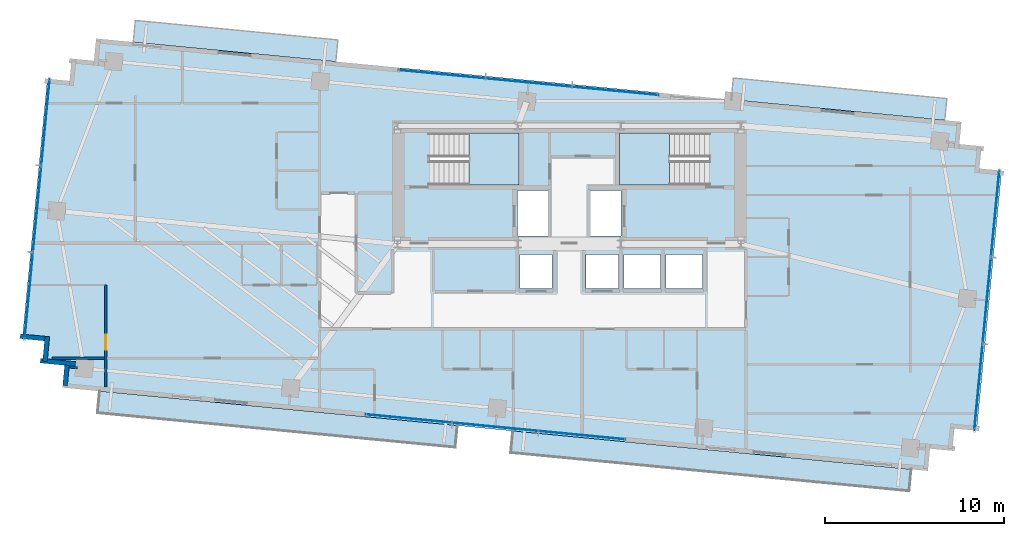
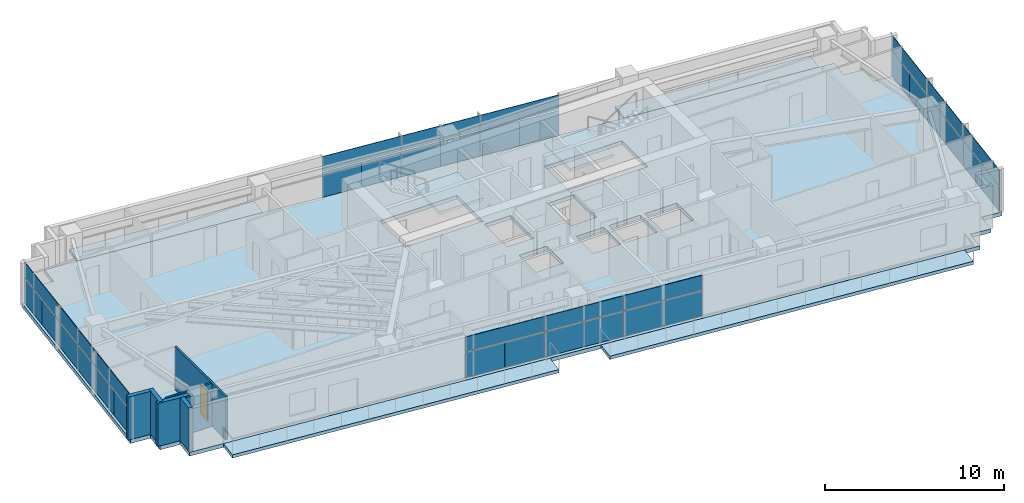
# One storey, part 14 of 20: 36 plates, 7 slabs, 7 walls, 1 door, 1 opening, 6 elements without a shape of their own.
"""IFC4 building model written with IfcOpenShell, lengths in metres."""

import ifcopenshell
import ifcopenshell.guid

model = None  # the IFC model being written
_history = None  # IfcOwnerHistory: only IFC2X3 demands one
_inside = {}  # id of a spatial element -> (the spatial element, [elements in it])
_under = {}  # id of a project, library or spatial element -> (it, [spatial elements below it])
_declared = {}  # id of a project -> (the project, [libraries it declares])
_typed = {}  # id of a type object -> (the type object, [elements of that type])
_made_of = {}  # id of a material, layer set ... -> (it, [elements and type objects made of it])


def new_model(schema):
    """Start an empty IFC model of exactly this schema.

    Asked for "IFC4X3", IfcOpenShell would pick the latest addendum, in which some entities
    have other attributes; the version numbers below select the first issue.
    IFC2X3 requires an IfcOwnerHistory on every rooted entity: one is made here for all.
    """
    global model, _history
    if schema == "IFC4X3":
        model = ifcopenshell.file(schema_version=(4, 3, 0, 0))
    else:
        model = ifcopenshell.file(schema=schema)
    _inside.clear()
    _under.clear()
    _declared.clear()
    _typed.clear()
    _made_of.clear()
    _history = None
    if model.schema == "IFC2X3":
        org = make("IfcOrganization", Name="unknown")
        user = make(
            "IfcPersonAndOrganization",
            ThePerson=make("IfcPerson", FamilyName="unknown"),
            TheOrganization=org,
        )
        app = make(
            "IfcApplication",
            ApplicationDeveloper=org,
            Version="unknown",
            ApplicationFullName="unknown",
            ApplicationIdentifier="unknown",
        )
        _history = make(
            "IfcOwnerHistory",
            OwningUser=user,
            OwningApplication=app,
            ChangeAction="ADDED",
            CreationDate=0,
        )
    return model


def make(cls, **values):
    """One entity of the class cls with the attributes given. An attribute that is None is left unset."""
    return model.create_entity(
        cls, **{name: value for name, value in values.items() if value is not None}
    )


def rooted(cls, **values):
    """An entity with a GlobalId (a new one), such as an element, a storey or a relation."""
    return make(cls, GlobalId=ifcopenshell.guid.new(), OwnerHistory=_history, **values)


def si_unit(unit_type, name, prefix=None):
    """IfcSIUnit, for example si_unit("LENGTHUNIT", "METRE", prefix="MILLI")."""
    return make("IfcSIUnit", UnitType=unit_type, Prefix=prefix, Name=name)


def assignment(units):
    """IfcUnitAssignment: the units of a project."""
    return None if units is None else make("IfcUnitAssignment", Units=units)


def point(xyz):
    """IfcCartesianPoint."""
    return None if xyz is None else make("IfcCartesianPoint", Coordinates=xyz)


def direction(xyz):
    """IfcDirection."""
    return None if xyz is None else make("IfcDirection", DirectionRatios=xyz)


def frame(location, z_axis=None, x_axis=None):
    """IfcAxis2Placement3D, a coordinate frame: its origin and axes. An axis left out is left unset."""
    return make(
        "IfcAxis2Placement3D",
        Location=point(location),
        Axis=direction(z_axis),
        RefDirection=direction(x_axis),
    )


def frame_2d(location, x_axis=None):
    """IfcAxis2Placement2D, a coordinate frame in the plane: its origin and x axis."""
    return make(
        "IfcAxis2Placement2D", Location=point(location), RefDirection=direction(x_axis)
    )


def origin():
    """The frame at (0, 0, 0) with its axes left unset."""
    return frame((0.0, 0.0, 0.0))


def origin_2d():
    """The frame at (0, 0) in the plane with its x axis left unset."""
    return frame_2d((0.0, 0.0))


def place(relative_to, where):
    """IfcLocalPlacement: puts the frame where relative to a parent placement (None: the world)."""
    return make(
        "IfcLocalPlacement", PlacementRelTo=relative_to, RelativePlacement=where
    )


def context(
    kind, dimensions, precision=None, world=None, true_north=None, identifier=None
):
    """IfcGeometricRepresentationContext, for example the 3D "Model" context."""
    return make(
        "IfcGeometricRepresentationContext",
        ContextIdentifier=identifier,
        ContextType=kind,
        CoordinateSpaceDimension=dimensions,
        Precision=precision,
        WorldCoordinateSystem=world,
        TrueNorth=true_north,
    )


def subcontext(parent, identifier, kind, view, scale=None):
    """IfcGeometricRepresentationSubContext, for example "Body" below "Model"."""
    return make(
        "IfcGeometricRepresentationSubContext",
        ContextIdentifier=identifier,
        ContextType=kind,
        ParentContext=parent,
        TargetScale=scale,
        TargetView=view,
    )


def project(units=None, contexts=None):
    """IfcProject with its units and contexts."""
    return rooted(
        "IfcProject",
        Name="project",
        RepresentationContexts=contexts,
        UnitsInContext=assignment(units),
    )


def spatial(cls, under=None, at=None, **own):
    """A site, building, storey or space (cls), placed at a placement, below another one or the project."""
    s = rooted(cls, ObjectPlacement=at, **own)
    if under is not None:
        _under.setdefault(under.id(), (under, []))[1].append(s)
    return s


def polyline(points):
    """IfcPolyline through the points."""
    return make("IfcPolyline", Points=[point(p) for p in points])


def profile(cls, at=None, kind="AREA", **sizes):
    """A parametric profile (cls). Its sizes go by their IFC names, for example OverallWidth=200.0."""
    return make(cls, ProfileType=kind, Position=at, **sizes)


def rectangle(**sizes):
    """IfcRectangleProfileDef."""
    return profile("IfcRectangleProfileDef", **sizes)


def outline(outer, holes=None, kind="AREA"):
    """IfcArbitraryClosedProfileDef: a profile drawn as a closed curve; with holes, ...WithVoids."""
    if holes is None:
        return make("IfcArbitraryClosedProfileDef", ProfileType=kind, OuterCurve=outer)
    return make(
        "IfcArbitraryProfileDefWithVoids",
        ProfileType=kind,
        OuterCurve=outer,
        InnerCurves=holes,
    )


def extrude(swept, where, along, depth):
    """IfcExtrudedAreaSolid: the profile swept, set in the frame where, extruded along a direction by depth."""
    return make(
        "IfcExtrudedAreaSolid",
        SweptArea=swept,
        Position=where,
        ExtrudedDirection=direction(along),
        Depth=depth,
    )


def shape(context_of_items, identifier, shape_type, items):
    """IfcShapeRepresentation: the items that make up one representation, for example the "Body"."""
    return make(
        "IfcShapeRepresentation",
        ContextOfItems=context_of_items,
        RepresentationIdentifier=identifier,
        RepresentationType=shape_type,
        Items=items,
    )


def source(mapping_origin, context_of_items, identifier, shape_type, items):
    """IfcRepresentationMap: a shape defined once, which mapped items show again and again."""
    return make(
        "IfcRepresentationMap",
        MappingOrigin=mapping_origin,
        MappedRepresentation=shape(context_of_items, identifier, shape_type, items),
    )


def transform(
    local_origin,
    x_axis=None,
    y_axis=None,
    z_axis=None,
    scale=None,
    scale2=None,
    scale3=None,
    uniform=True,
):
    """IfcCartesianTransformationOperator3D, or its non-uniform kind. x_axis, y_axis, z_axis: its Axis1, 2, 3."""
    if uniform:
        return make(
            "IfcCartesianTransformationOperator3D",
            Axis1=direction(x_axis),
            Axis2=direction(y_axis),
            LocalOrigin=point(local_origin),
            Scale=scale,
            Axis3=direction(z_axis),
        )
    return make(
        "IfcCartesianTransformationOperator3DnonUniform",
        Axis1=direction(x_axis),
        Axis2=direction(y_axis),
        LocalOrigin=point(local_origin),
        Scale=scale,
        Axis3=direction(z_axis),
        Scale2=scale2,
        Scale3=scale3,
    )


def mapped(mapping_source, mapping_target):
    """IfcMappedItem: shows the shape of a source again, moved by a transform."""
    return make(
        "IfcMappedItem", MappingSource=mapping_source, MappingTarget=mapping_target
    )


def material(Name=None, Category=None):
    """IfcMaterial."""
    return make("IfcMaterial", Name=Name, Category=Category)


def layer(
    of_material, thickness, ventilated=None, Name=None, Category=None, Priority=None
):
    """IfcMaterialLayer: one layer of a wall or slab, of a material (None: an air gap)."""
    return make(
        "IfcMaterialLayer",
        Material=of_material,
        LayerThickness=thickness,
        IsVentilated=ventilated,
        Name=Name,
        Category=Category,
        Priority=Priority,
    )


def layer_set(layers, Name=None):
    """IfcMaterialLayerSet."""
    return make("IfcMaterialLayerSet", MaterialLayers=layers, LayerSetName=Name)


def made_of(thing, what):
    """Note that an element or type object is made of a material, layer set ...; save() writes the relation."""
    if what is not None:
        _made_of.setdefault(what.id(), (what, []))[1].append(thing)
    return thing


def type_object(cls, material=None, **own):
    """A type object (cls), such as IfcWallType, which elements share."""
    return made_of(rooted(cls, **own), material)


def type_shapes(of_type, sources):
    """Give a type object the sources (RepresentationMaps) that its elements show as mapped items."""
    of_type.RepresentationMaps = sources


def element(
    cls,
    number,
    at=None,
    inside=None,
    cuts=None,
    type_object=None,
    material=None,
    context=None,
    identifier="Body",
    shape_type=None,
    held_by="IfcProductDefinitionShape",
    body=None,
    shapes=None,
    **own,
):
    """One element of the class cls, such as IfcWall. Its Tag is "e" and its number.

    at: its placement. inside: the storey or other place that contains it. cuts: it is an
    opening in that element (IfcRelVoidsElement). A single representation is given by context,
    identifier, shape_type and body (its items); several are given by shapes. held_by: the class
    of the entity that holds the representations. save() writes the other relations.
    """
    e = rooted(cls, Tag="e%d" % number, ObjectPlacement=at, **own)
    if body is not None:
        shapes = [shape(context, identifier, shape_type, body)]
    if shapes is not None:
        e.Representation = make(held_by, Representations=shapes)
    if inside is not None:
        _inside.setdefault(inside.id(), (inside, []))[1].append(e)
    if cuts is not None:
        rooted(
            "IfcRelVoidsElement", RelatingBuildingElement=cuts, RelatedOpeningElement=e
        )
    if type_object is not None:
        _typed.setdefault(type_object.id(), (type_object, []))[1].append(e)
    return made_of(e, material)


def fill(opening, filler):
    """IfcRelFillsElement: the door or window that sits in an opening."""
    return rooted(
        "IfcRelFillsElement",
        RelatingOpeningElement=opening,
        RelatedBuildingElement=filler,
    )


def aggregate(whole, parts):
    """IfcRelAggregates: a whole, such as a stair, and the parts it consists of."""
    return rooted("IfcRelAggregates", RelatingObject=whole, RelatedObjects=parts)


def save(model, path):
    """Write the relations noted so far, then the file.

    IfcRelAggregates (storeys below a building ...), IfcRelContainedInSpatialStructure (elements
    in a storey), IfcRelDefinesByType, IfcRelAssociatesMaterial and IfcRelDeclares: one each for
    every whole, place, type object, material and project.
    """
    for whole, parts in _under.values():
        aggregate(whole, parts)
    for where, things in _inside.values():
        rooted(
            "IfcRelContainedInSpatialStructure",
            RelatedElements=things,
            RelatingStructure=where,
        )
    for kind, things in _typed.values():
        rooted("IfcRelDefinesByType", RelatedObjects=things, RelatingType=kind)
    for what, things in _made_of.values():
        rooted("IfcRelAssociatesMaterial", RelatedObjects=things, RelatingMaterial=what)
    for by, libraries in _declared.values():
        rooted("IfcRelDeclares", RelatingContext=by, RelatedDefinitions=libraries)
    model.write(path)


model = new_model("IFC4")

# Units and contexts
model_context = context("Model", 3, precision=1e-05, world=origin(), true_north=direction((0.0, 1.0)))
body_context = subcontext(model_context, "Body", "Model", "MODEL_VIEW")
ifc_project = project(units=[si_unit("LENGTHUNIT", "METRE"), si_unit("AREAUNIT", "SQUARE_METRE"), si_unit("VOLUMEUNIT", "CUBIC_METRE"), si_unit("PLANEANGLEUNIT", "RADIAN"), si_unit("MASSUNIT", "GRAM", prefix="KILO")], contexts=[model_context])

# Site, building, storey
site_placement = place(None, origin())
site = spatial("IfcSite", under=ifc_project, at=site_placement, CompositionType="ELEMENT")
building_placement = place(site_placement, origin())
building = spatial("IfcBuilding", under=site, at=building_placement, Name="Astriad Promenade Condominiums", CompositionType="ELEMENT")
storey_placement = place(building_placement, frame((0.0, 0.0, 131.0)))
storey = spatial("IfcBuildingStorey", under=building, at=storey_placement, Name="L37", CompositionType="ELEMENT", Elevation=131.0)

# Slab
ifc_material_1 = material(Name="Concrete C50/60", Category="concrete")
ifc_layer_1 = layer(ifc_material_1, 0.260009765625)
ifc_layer_set_1 = layer_set([ifc_layer_1], Name="Concrete C50/60")
slab_type_1 = type_object("IfcSlabType", Name="CONCRETE TOWER FLOOR SLAB 260", PredefinedType="FLOOR", material=ifc_layer_set_1)
slab_1_placement = place(storey_placement, frame((0.0, 0.0, -0.260009765625)))
element("IfcSlab", 1, at=slab_1_placement, inside=storey, type_object=slab_type_1, Name="Structural Floor Slab (L37)", PredefinedType="FLOOR", context=body_context, shape_type="SweptSolid", body=[
    extrude(outline(polyline([(7.672607421875, 9.374267578125), (56.048828125, 4.716064453125), (56.168701171875, 5.960205078125), (57.412841796875, 5.840576171875), (57.53271484375, 7.084716796875), (58.77685546875, 6.96484375), (60.17626953125, 21.497802734375), (58.931884765625, 21.617431640625), (59.052001953125, 22.86181640625), (57.8076171875, 22.981689453125), (57.927490234375, 24.225830078125), (9.55126953125, 28.8837890625), (9.431396484375, 27.6396484375), (8.18701171875, 27.759521484375), (8.0673828125, 26.515380859375), (6.822998046875, 26.635009765625), (5.423583984375, 12.102294921875), (6.66796875, 11.982421875), (6.548095703125, 10.73828125), (7.79248046875, 10.618408203125), (7.672607421875, 9.374267578125)]), holes=[polyline([(28.175048828125, 20.699951171875), (33.175048828125, 20.699951171875), (33.175048828125, 23.60009765625), (28.175048828125, 23.60009765625), (28.175048828125, 20.699951171875)]), polyline([(38.824951171875, 20.699951171875), (43.824951171875, 20.699951171875), (43.824951171875, 23.60009765625), (38.824951171875, 23.60009765625), (38.824951171875, 20.699951171875)]), polyline([(33.10009765625, 17.85009765625), (34.800048828125, 17.85009765625), (34.800048828125, 20.39990234375), (33.10009765625, 20.39990234375), (33.10009765625, 17.85009765625)]), polyline([(37.199951171875, 17.85009765625), (38.89990234375, 17.85009765625), (38.89990234375, 20.39990234375), (37.199951171875, 20.39990234375), (37.199951171875, 17.85009765625)]), polyline([(33.25, 14.89990234375), (35.050048828125, 14.89990234375), (35.050048828125, 16.800048828125), (33.25, 16.800048828125), (33.25, 14.89990234375)]), polyline([(36.949951171875, 14.89990234375), (38.75, 14.89990234375), (38.75, 16.800048828125), (36.949951171875, 16.800048828125), (36.949951171875, 14.89990234375)]), polyline([(39.050048828125, 14.89990234375), (41.10009765625, 14.89990234375), (41.10009765625, 16.800048828125), (39.050048828125, 16.800048828125), (39.050048828125, 14.89990234375)]), polyline([(41.39990234375, 14.89990234375), (43.449951171875, 14.89990234375), (43.449951171875, 16.800048828125), (41.39990234375, 16.800048828125), (41.39990234375, 14.89990234375)])]), origin(), (0.0, 0.0, 1.0), 0.260009765625),
])

# Stair, slab
stair_type = type_object("IfcStairType", Name="STR-CORE-1350", PredefinedType="HALF_TURN_STAIR", material=ifc_material_1)
stair_1_placement = place(storey_placement, origin())
stair_1 = element("IfcStair", 2, at=stair_1_placement, inside=storey, type_object=stair_type, Name="L37 Enclosed Core Exit Stair ST-1", PredefinedType="HALF_TURN_STAIR")
ifc_layer_2 = layer(ifc_material_1, 0.219970703125)
ifc_layer_set_2 = layer_set([ifc_layer_2], Name="Concrete C50/60")
slab_type_2 = type_object("IfcSlabType", Name="SLB-LANDING-220", PredefinedType="LANDING", material=ifc_layer_set_2)
slab_2_placement = place(storey_placement, frame((0.0, 0.0, 1.39990234375)))
slab_2 = element("IfcSlab", 3, at=slab_2_placement, type_object=slab_type_2, Name="ST-1 landing 1", PredefinedType="LANDING", context=body_context, shape_type="SweptSolid", body=[
    extrude(outline(polyline([(30.389892578125, 20.699951171875), (33.199951171875, 20.699951171875), (33.199951171875, 23.60009765625), (30.389892578125, 23.60009765625), (30.389892578125, 20.699951171875)])), origin(), (0.0, 0.0, 1.0), 0.2001953125),
])
aggregate(stair_1, [slab_2])

stair_2_placement = place(storey_placement, origin())
stair_2 = element("IfcStair", 4, at=stair_2_placement, inside=storey, type_object=stair_type, Name="L37 Enclosed Core Exit Stair ST-2", PredefinedType="HALF_TURN_STAIR")
slab_3_placement = place(storey_placement, frame((0.0, 0.0, 1.39990234375)))
slab_3 = element("IfcSlab", 5, at=slab_3_placement, type_object=slab_type_2, Name="ST-2 landing 1", PredefinedType="LANDING", context=body_context, shape_type="SweptSolid", body=[
    extrude(outline(polyline([(41.610107421875, 23.60009765625), (38.800048828125, 23.60009765625), (38.800048828125, 20.699951171875), (41.610107421875, 20.699951171875), (41.610107421875, 23.60009765625)])), origin(), (0.0, 0.0, 1.0), 0.2001953125),
])
aggregate(stair_2, [slab_3])

# Slabs
ifc_material_2 = material(Name="Precast concrete C50/60", Category="concrete")
ifc_layer_3 = layer(ifc_material_2, 0.219970703125)
ifc_layer_set_3 = layer_set([ifc_layer_3], Name="Precast concrete C50/60")
slab_type_3 = type_object("IfcSlabType", Name="WHITE PRECAST CONCRETE WAVE BALCONY SLAB 220", PredefinedType="FLOOR", material=ifc_layer_set_3)
slab_4_placement = place(storey_placement, frame((0.0, 0.0, -0.219970703125)))
element("IfcSlab", 6, at=slab_4_placement, inside=storey, type_object=slab_type_3, Name="White Precast Wave Balcony Slab BAL-L37-SW", PredefinedType="FLOOR", context=body_context, shape_type="SweptSolid", body=[
    extrude(outline(polyline([(9.629150390625, 7.960205078125), (29.62548828125, 6.03466796875), (29.742431640625, 7.2490234375), (9.74609375, 9.174560546875), (9.629150390625, 7.960205078125)])), origin(), (0.0, 0.0, 1.0), 0.219970703125),
])
slab_5_placement = place(storey_placement, frame((0.0, 0.0, -0.219970703125)))
element("IfcSlab", 7, at=slab_5_placement, inside=storey, type_object=slab_type_3, Name="White Precast Wave Balcony Slab BAL-L37-SE", PredefinedType="FLOOR", context=body_context, shape_type="SweptSolid", body=[
    extrude(outline(polyline([(54.997314453125, 3.591796875), (32.733154296875, 5.735595703125), (32.849853515625, 6.947998046875), (55.114013671875, 4.80419921875), (54.997314453125, 3.591796875)])), origin(), (0.0, 0.0, 1.0), 0.219970703125),
])
slab_6_placement = place(storey_placement, frame((0.0, 0.0, -0.219970703125)))
element("IfcSlab", 8, at=slab_6_placement, inside=storey, type_object=slab_type_3, Name="White Precast Wave Balcony Slab BAL-L37-NW", PredefinedType="FLOOR", context=body_context, shape_type="SweptSolid", body=[
    extrude(outline(polyline([(11.62451171875, 28.684326171875), (22.94921875, 27.593994140625), (23.066162109375, 28.80810546875), (11.741455078125, 29.898681640625), (11.62451171875, 28.684326171875)])), origin(), (0.0, 0.0, 1.0), 0.219970703125),
])
slab_7_placement = place(storey_placement, frame((0.0, 0.0, -0.219970703125)))
element("IfcSlab", 9, at=slab_7_placement, inside=storey, type_object=slab_type_3, Name="White Precast Wave Balcony Slab BAL-L37-NE", PredefinedType="FLOOR", context=body_context, shape_type="SweptSolid", body=[
    extrude(outline(polyline([(45.173828125, 26.679443359375), (57.109619140625, 25.5302734375), (56.992919921875, 24.31787109375), (45.05712890625, 25.467041015625), (45.173828125, 26.679443359375)])), origin(), (0.0, 0.0, 1.0), 0.219970703125),
])

# Curtain wall, plates
ifc_material_3 = material(Name="Anodised aluminium Black Dark Glass Unitised", Category="aluminium")
curtain_wall_type = type_object("IfcCurtainWallType", Name="CW-B34-DARK", PredefinedType="USERDEFINED", material=ifc_material_3)
curtain_wall_1_placement = place(storey_placement, origin())
curtain_wall_1 = element("IfcCurtainWall", 10, at=curtain_wall_1_placement, inside=storey, type_object=curtain_wall_type, Name="CW-L37-W", ObjectType="UNITISED_CURTAIN_WALL", PredefinedType="USERDEFINED")
ifc_material_4 = material(Name="Dark Tinted Low-E Laminated Glass", Category="glass")
ifc_layer_4 = layer(ifc_material_4, 0.035888671875)
ifc_layer_set_4 = layer_set([ifc_layer_4], Name="Dark Tinted Low-E Laminated Glass")
plate_type = type_object("IfcPlateType", Name="PNL-DARK-GLASS-36", PredefinedType="CURTAIN_PANEL", material=ifc_layer_set_4)
shared_shape_1 = source(origin(), body_context, "Body", "SweptSolid", [
    extrude(rectangle(XDim=2.42138671875, YDim=0.035888671875, at=origin_2d()), origin(), (0.0, 0.0, 1.0), 1.702880859375),
])
plate_1_placement = place(storey_placement, frame((5.669677734375, 13.30078125, 0.080078125), z_axis=(0.0, 0.0, 1.0), x_axis=(0.09584575252, 0.995396198367, 0.0)))
plate_1 = element("IfcPlate", 11, at=plate_1_placement, type_object=plate_type, Name="CW-L37-W-PNL-00-VL", PredefinedType="CURTAIN_PANEL", context=body_context, shape_type="MappedRepresentation", body=[
    mapped(shared_shape_1, transform((0.0, 0.0, 0.0), scale=1.0)),
])
plate_2_placement = place(storey_placement, frame((5.903076171875, 15.722900390625, 0.080078125), z_axis=(0.0, 0.0, 1.0), x_axis=(0.09584575252, 0.995396198367, 0.0)))
plate_2 = element("IfcPlate", 12, at=plate_2_placement, type_object=plate_type, Name="CW-L37-W-PNL-00-VR", PredefinedType="CURTAIN_PANEL", context=body_context, shape_type="MappedRepresentation", body=[
    mapped(shared_shape_1, transform((0.0, 0.0, 0.0), scale=1.0)),
])
plate_3_placement = place(storey_placement, frame((6.13623046875, 18.145263671875, 0.080078125), z_axis=(0.0, 0.0, 1.0), x_axis=(0.09584575252, 0.995396198367, 0.0)))
plate_3 = element("IfcPlate", 13, at=plate_3_placement, type_object=plate_type, Name="CW-L37-W-PNL-01-VL", PredefinedType="CURTAIN_PANEL", context=body_context, shape_type="MappedRepresentation", body=[
    mapped(shared_shape_1, transform((0.0, 0.0, 0.0), scale=1.0)),
])
plate_4_placement = place(storey_placement, frame((6.369384765625, 20.5673828125, 0.080078125), z_axis=(0.0, 0.0, 1.0), x_axis=(0.09584575252, 0.995396198367, 0.0)))
plate_4 = element("IfcPlate", 14, at=plate_4_placement, type_object=plate_type, Name="CW-L37-W-PNL-01-VR", PredefinedType="CURTAIN_PANEL", context=body_context, shape_type="MappedRepresentation", body=[
    mapped(shared_shape_1, transform((0.0, 0.0, 0.0), scale=1.0)),
])
plate_5_placement = place(storey_placement, frame((6.6025390625, 22.989501953125, 0.080078125), z_axis=(0.0, 0.0, 1.0), x_axis=(0.09584575252, 0.995396198367, 0.0)))
plate_5 = element("IfcPlate", 15, at=plate_5_placement, type_object=plate_type, Name="CW-L37-W-PNL-02-VL", PredefinedType="CURTAIN_PANEL", context=body_context, shape_type="MappedRepresentation", body=[
    mapped(shared_shape_1, transform((0.0, 0.0, 0.0), scale=1.0)),
])
plate_6_placement = place(storey_placement, frame((6.8359375, 25.41162109375, 0.080078125), z_axis=(0.0, 0.0, 1.0), x_axis=(0.09584575252, 0.995396198367, 0.0)))
plate_6 = element("IfcPlate", 16, at=plate_6_placement, type_object=plate_type, Name="CW-L37-W-PNL-02-VR", PredefinedType="CURTAIN_PANEL", context=body_context, shape_type="MappedRepresentation", body=[
    mapped(shared_shape_1, transform((0.0, 0.0, 0.0), scale=1.0)),
])

curtain_wall_2_placement = place(storey_placement, origin())
curtain_wall_2 = element("IfcCurtainWall", 17, at=curtain_wall_2_placement, inside=storey, type_object=curtain_wall_type, Name="CW-L37-E", ObjectType="UNITISED_CURTAIN_WALL", PredefinedType="USERDEFINED")
plate_7_placement = place(storey_placement, frame((59.930419921875, 20.299072265625, 0.080078125), z_axis=(0.0, 0.0, 1.0), x_axis=(-0.09584575252, -0.995396198367, 0.0)))
plate_7 = element("IfcPlate", 18, at=plate_7_placement, type_object=plate_type, Name="CW-L37-E-PNL-00-VL", PredefinedType="CURTAIN_PANEL", context=body_context, shape_type="MappedRepresentation", body=[
    mapped(shared_shape_1, transform((0.0, 0.0, 0.0), scale=1.0)),
])
plate_8_placement = place(storey_placement, frame((59.697021484375, 17.876953125, 0.080078125), z_axis=(0.0, 0.0, 1.0), x_axis=(-0.09584575252, -0.995396198367, 0.0)))
plate_8 = element("IfcPlate", 19, at=plate_8_placement, type_object=plate_type, Name="CW-L37-E-PNL-00-VR", PredefinedType="CURTAIN_PANEL", context=body_context, shape_type="MappedRepresentation", body=[
    mapped(shared_shape_1, transform((0.0, 0.0, 0.0), scale=1.0)),
])
plate_9_placement = place(storey_placement, frame((59.4638671875, 15.454833984375, 0.080078125), z_axis=(0.0, 0.0, 1.0), x_axis=(-0.09584575252, -0.995396198367, 0.0)))
plate_9 = element("IfcPlate", 20, at=plate_9_placement, type_object=plate_type, Name="CW-L37-E-PNL-01-VL", PredefinedType="CURTAIN_PANEL", context=body_context, shape_type="MappedRepresentation", body=[
    mapped(shared_shape_1, transform((0.0, 0.0, 0.0), scale=1.0)),
])
plate_10_placement = place(storey_placement, frame((59.230712890625, 13.03271484375, 0.080078125), z_axis=(0.0, 0.0, 1.0), x_axis=(-0.09584575252, -0.995396198367, 0.0)))
plate_10 = element("IfcPlate", 21, at=plate_10_placement, type_object=plate_type, Name="CW-L37-E-PNL-01-VR", PredefinedType="CURTAIN_PANEL", context=body_context, shape_type="MappedRepresentation", body=[
    mapped(shared_shape_1, transform((0.0, 0.0, 0.0), scale=1.0)),
])
plate_11_placement = place(storey_placement, frame((58.997314453125, 10.610595703125, 0.080078125), z_axis=(0.0, 0.0, 1.0), x_axis=(-0.09584575252, -0.995396198367, 0.0)))
plate_11 = element("IfcPlate", 22, at=plate_11_placement, type_object=plate_type, Name="CW-L37-E-PNL-02-VL", PredefinedType="CURTAIN_PANEL", context=body_context, shape_type="MappedRepresentation", body=[
    mapped(shared_shape_1, transform((0.0, 0.0, 0.0), scale=1.0)),
])
plate_12_placement = place(storey_placement, frame((58.76416015625, 8.1884765625, 0.080078125), z_axis=(0.0, 0.0, 1.0), x_axis=(-0.09584575252, -0.995396198367, 0.0)))
plate_12 = element("IfcPlate", 23, at=plate_12_placement, type_object=plate_type, Name="CW-L37-E-PNL-02-VR", PredefinedType="CURTAIN_PANEL", context=body_context, shape_type="MappedRepresentation", body=[
    mapped(shared_shape_1, transform((0.0, 0.0, 0.0), scale=1.0)),
])

# Plate
shared_shape_2 = source(origin(), body_context, "Body", "SweptSolid", [
    extrude(rectangle(XDim=4.854736328125, YDim=0.035888671875, at=origin_2d()), origin(), (0.0, 0.0, 1.0), 0.997314453125),
])
plate_13_placement = place(storey_placement, frame((5.786376953125, 14.511962890625, 1.86279296875), z_axis=(0.0, 0.0, 1.0), x_axis=(0.09584575252, 0.995396198367, 0.0)))
plate_13 = element("IfcPlate", 24, at=plate_13_placement, type_object=plate_type, Name="CW-L37-W-PNL-00-S", PredefinedType="CURTAIN_PANEL", context=body_context, shape_type="MappedRepresentation", body=[
    mapped(shared_shape_2, transform((0.0, 0.0, 0.0), scale=1.0)),
])

plate_14_placement = place(storey_placement, frame((6.252685546875, 19.356201171875, 1.86279296875), z_axis=(0.0, 0.0, 1.0), x_axis=(0.09584575252, 0.995396198367, 0.0)))
plate_14 = element("IfcPlate", 25, at=plate_14_placement, type_object=plate_type, Name="CW-L37-W-PNL-01-S", PredefinedType="CURTAIN_PANEL", context=body_context, shape_type="MappedRepresentation", body=[
    mapped(shared_shape_2, transform((0.0, 0.0, 0.0), scale=1.0)),
])

plate_15_placement = place(storey_placement, frame((6.71923828125, 24.200439453125, 1.86279296875), z_axis=(0.0, 0.0, 1.0), x_axis=(0.09584575252, 0.995396198367, 0.0)))
plate_15 = element("IfcPlate", 26, at=plate_15_placement, type_object=plate_type, Name="CW-L37-W-PNL-02-S", PredefinedType="CURTAIN_PANEL", context=body_context, shape_type="MappedRepresentation", body=[
    mapped(shared_shape_2, transform((0.0, 0.0, 0.0), scale=1.0)),
])

aggregate(curtain_wall_1, [plate_1, plate_2, plate_13, plate_3, plate_4, plate_14, plate_5, plate_6, plate_15])

plate_16_placement = place(storey_placement, frame((59.813720703125, 19.088134765625, 1.86279296875), z_axis=(0.0, 0.0, 1.0), x_axis=(-0.09584575252, -0.995396198367, 0.0)))
plate_16 = element("IfcPlate", 27, at=plate_16_placement, type_object=plate_type, Name="CW-L37-E-PNL-00-S", PredefinedType="CURTAIN_PANEL", context=body_context, shape_type="MappedRepresentation", body=[
    mapped(shared_shape_2, transform((0.0, 0.0, 0.0), scale=1.0)),
])

plate_17_placement = place(storey_placement, frame((59.34716796875, 14.243896484375, 1.86279296875), z_axis=(0.0, 0.0, 1.0), x_axis=(-0.09584575252, -0.995396198367, 0.0)))
plate_17 = element("IfcPlate", 28, at=plate_17_placement, type_object=plate_type, Name="CW-L37-E-PNL-01-S", PredefinedType="CURTAIN_PANEL", context=body_context, shape_type="MappedRepresentation", body=[
    mapped(shared_shape_2, transform((0.0, 0.0, 0.0), scale=1.0)),
])

plate_18_placement = place(storey_placement, frame((58.880615234375, 9.3994140625, 1.86279296875), z_axis=(0.0, 0.0, 1.0), x_axis=(-0.09584575252, -0.995396198367, 0.0)))
plate_18 = element("IfcPlate", 29, at=plate_18_placement, type_object=plate_type, Name="CW-L37-E-PNL-02-S", PredefinedType="CURTAIN_PANEL", context=body_context, shape_type="MappedRepresentation", body=[
    mapped(shared_shape_2, transform((0.0, 0.0, 0.0), scale=1.0)),
])

aggregate(curtain_wall_2, [plate_7, plate_8, plate_16, plate_9, plate_10, plate_17, plate_11, plate_12, plate_18])

# Curtain wall, plates
curtain_wall_3_placement = place(storey_placement, origin())
curtain_wall_3 = element("IfcCurtainWall", 30, at=curtain_wall_3_placement, inside=storey, type_object=curtain_wall_type, Name="CW-L37-N", ObjectType="UNITISED_CURTAIN_WALL", PredefinedType="USERDEFINED")
shared_shape_3 = source(origin(), body_context, "Body", "SweptSolid", [
    extrude(rectangle(XDim=2.41796875, YDim=0.035888671875, at=origin_2d()), origin(), (0.0, 0.0, 1.0), 1.702880859375),
])
plate_19_placement = place(storey_placement, frame((27.6796875, 27.0078125, 0.080078125), z_axis=(0.0, 0.0, 1.0), x_axis=(0.995396198367, -0.09584575252, 0.0)))
plate_19 = element("IfcPlate", 31, at=plate_19_placement, type_object=plate_type, Name="CW-L37-N-PNL-00-VL", PredefinedType="CURTAIN_PANEL", context=body_context, shape_type="MappedRepresentation", body=[
    mapped(shared_shape_3, transform((0.0, 0.0, 0.0), scale=1.0)),
])
plate_20_placement = place(storey_placement, frame((30.0986328125, 26.77490234375, 0.080078125), z_axis=(0.0, 0.0, 1.0), x_axis=(0.995396198367, -0.09584575252, 0.0)))
plate_20 = element("IfcPlate", 32, at=plate_20_placement, type_object=plate_type, Name="CW-L37-N-PNL-00-VR", PredefinedType="CURTAIN_PANEL", context=body_context, shape_type="MappedRepresentation", body=[
    mapped(shared_shape_3, transform((0.0, 0.0, 0.0), scale=1.0)),
])
plate_21_placement = place(storey_placement, frame((32.517333984375, 26.5419921875, 0.080078125), z_axis=(0.0, 0.0, 1.0), x_axis=(0.995396198367, -0.09584575252, 0.0)))
plate_21 = element("IfcPlate", 33, at=plate_21_placement, type_object=plate_type, Name="CW-L37-N-PNL-01-VL", PredefinedType="CURTAIN_PANEL", context=body_context, shape_type="MappedRepresentation", body=[
    mapped(shared_shape_3, transform((0.0, 0.0, 0.0), scale=1.0)),
])
plate_22_placement = place(storey_placement, frame((34.936279296875, 26.30908203125, 0.080078125), z_axis=(0.0, 0.0, 1.0), x_axis=(0.995396198367, -0.09584575252, 0.0)))
plate_22 = element("IfcPlate", 34, at=plate_22_placement, type_object=plate_type, Name="CW-L37-N-PNL-01-VR", PredefinedType="CURTAIN_PANEL", context=body_context, shape_type="MappedRepresentation", body=[
    mapped(shared_shape_3, transform((0.0, 0.0, 0.0), scale=1.0)),
])
plate_23_placement = place(storey_placement, frame((37.35498046875, 26.075927734375, 0.080078125), z_axis=(0.0, 0.0, 1.0), x_axis=(0.995396198367, -0.09584575252, 0.0)))
plate_23 = element("IfcPlate", 35, at=plate_23_placement, type_object=plate_type, Name="CW-L37-N-PNL-02-VL", PredefinedType="CURTAIN_PANEL", context=body_context, shape_type="MappedRepresentation", body=[
    mapped(shared_shape_3, transform((0.0, 0.0, 0.0), scale=1.0)),
])
plate_24_placement = place(storey_placement, frame((39.77392578125, 25.84326171875, 0.080078125), z_axis=(0.0, 0.0, 1.0), x_axis=(0.995396198367, -0.09584575252, 0.0)))
plate_24 = element("IfcPlate", 36, at=plate_24_placement, type_object=plate_type, Name="CW-L37-N-PNL-02-VR", PredefinedType="CURTAIN_PANEL", context=body_context, shape_type="MappedRepresentation", body=[
    mapped(shared_shape_3, transform((0.0, 0.0, 0.0), scale=1.0)),
])

curtain_wall_4_placement = place(storey_placement, origin())
curtain_wall_4 = element("IfcCurtainWall", 37, at=curtain_wall_4_placement, inside=storey, type_object=curtain_wall_type, Name="CW-L37-S", ObjectType="UNITISED_CURTAIN_WALL", PredefinedType="USERDEFINED")
plate_25_placement = place(storey_placement, frame((37.920166015625, 6.59228515625, 0.080078125), z_axis=(0.0, 0.0, 1.0), x_axis=(-0.995396198367, 0.09584575252, 0.0)))
plate_25 = element("IfcPlate", 38, at=plate_25_placement, type_object=plate_type, Name="CW-L37-S-PNL-00-VL", PredefinedType="CURTAIN_PANEL", context=body_context, shape_type="MappedRepresentation", body=[
    mapped(shared_shape_3, transform((0.0, 0.0, 0.0), scale=1.0)),
])
plate_26_placement = place(storey_placement, frame((35.50146484375, 6.8251953125, 0.080078125), z_axis=(0.0, 0.0, 1.0), x_axis=(-0.995396198367, 0.09584575252, 0.0)))
plate_26 = element("IfcPlate", 39, at=plate_26_placement, type_object=plate_type, Name="CW-L37-S-PNL-00-VR", PredefinedType="CURTAIN_PANEL", context=body_context, shape_type="MappedRepresentation", body=[
    mapped(shared_shape_3, transform((0.0, 0.0, 0.0), scale=1.0)),
])
plate_27_placement = place(storey_placement, frame((33.08251953125, 7.05810546875, 0.080078125), z_axis=(0.0, 0.0, 1.0), x_axis=(-0.995396198367, 0.09584575252, 0.0)))
plate_27 = element("IfcPlate", 40, at=plate_27_placement, type_object=plate_type, Name="CW-L37-S-PNL-01-VL", PredefinedType="CURTAIN_PANEL", context=body_context, shape_type="MappedRepresentation", body=[
    mapped(shared_shape_3, transform((0.0, 0.0, 0.0), scale=1.0)),
])
plate_28_placement = place(storey_placement, frame((30.663818359375, 7.291015625, 0.080078125), z_axis=(0.0, 0.0, 1.0), x_axis=(-0.995396198367, 0.09584575252, 0.0)))
plate_28 = element("IfcPlate", 41, at=plate_28_placement, type_object=plate_type, Name="CW-L37-S-PNL-01-VR", PredefinedType="CURTAIN_PANEL", context=body_context, shape_type="MappedRepresentation", body=[
    mapped(shared_shape_3, transform((0.0, 0.0, 0.0), scale=1.0)),
])
plate_29_placement = place(storey_placement, frame((28.244873046875, 7.52392578125, 0.080078125), z_axis=(0.0, 0.0, 1.0), x_axis=(-0.995396198367, 0.09584575252, 0.0)))
plate_29 = element("IfcPlate", 42, at=plate_29_placement, type_object=plate_type, Name="CW-L37-S-PNL-02-VL", PredefinedType="CURTAIN_PANEL", context=body_context, shape_type="MappedRepresentation", body=[
    mapped(shared_shape_3, transform((0.0, 0.0, 0.0), scale=1.0)),
])
plate_30_placement = place(storey_placement, frame((25.826171875, 7.7568359375, 0.080078125), z_axis=(0.0, 0.0, 1.0), x_axis=(-0.995396198367, 0.09584575252, 0.0)))
plate_30 = element("IfcPlate", 43, at=plate_30_placement, type_object=plate_type, Name="CW-L37-S-PNL-02-VR", PredefinedType="CURTAIN_PANEL", context=body_context, shape_type="MappedRepresentation", body=[
    mapped(shared_shape_3, transform((0.0, 0.0, 0.0), scale=1.0)),
])

# Plate
shared_shape_4 = source(origin(), body_context, "Body", "SweptSolid", [
    extrude(rectangle(XDim=4.847900390625, YDim=0.035888671875, at=origin_2d()), origin(), (0.0, 0.0, 1.0), 0.997314453125),
])
type_shapes(plate_type, [shared_shape_1, shared_shape_2, shared_shape_3, shared_shape_4])
plate_31_placement = place(storey_placement, frame((28.88916015625, 26.891357421875, 1.86279296875), z_axis=(0.0, 0.0, 1.0), x_axis=(0.995396198367, -0.09584575252, 0.0)))
plate_31 = element("IfcPlate", 44, at=plate_31_placement, type_object=plate_type, Name="CW-L37-N-PNL-00-S", PredefinedType="CURTAIN_PANEL", context=body_context, shape_type="MappedRepresentation", body=[
    mapped(shared_shape_4, transform((0.0, 0.0, 0.0), scale=1.0)),
])

plate_32_placement = place(storey_placement, frame((33.726806640625, 26.42529296875, 1.86279296875), z_axis=(0.0, 0.0, 1.0), x_axis=(0.995396198367, -0.09584575252, 0.0)))
plate_32 = element("IfcPlate", 45, at=plate_32_placement, type_object=plate_type, Name="CW-L37-N-PNL-01-S", PredefinedType="CURTAIN_PANEL", context=body_context, shape_type="MappedRepresentation", body=[
    mapped(shared_shape_4, transform((0.0, 0.0, 0.0), scale=1.0)),
])

plate_33_placement = place(storey_placement, frame((38.564453125, 25.959716796875, 1.86279296875), z_axis=(0.0, 0.0, 1.0), x_axis=(0.995396198367, -0.09584575252, 0.0)))
plate_33 = element("IfcPlate", 46, at=plate_33_placement, type_object=plate_type, Name="CW-L37-N-PNL-02-S", PredefinedType="CURTAIN_PANEL", context=body_context, shape_type="MappedRepresentation", body=[
    mapped(shared_shape_4, transform((0.0, 0.0, 0.0), scale=1.0)),
])

aggregate(curtain_wall_3, [plate_19, plate_20, plate_31, plate_21, plate_22, plate_32, plate_23, plate_24, plate_33])

plate_34_placement = place(storey_placement, frame((36.710693359375, 6.708740234375, 1.86279296875), z_axis=(0.0, 0.0, 1.0), x_axis=(-0.995396198367, 0.09584575252, 0.0)))
plate_34 = element("IfcPlate", 47, at=plate_34_placement, type_object=plate_type, Name="CW-L37-S-PNL-00-S", PredefinedType="CURTAIN_PANEL", context=body_context, shape_type="MappedRepresentation", body=[
    mapped(shared_shape_4, transform((0.0, 0.0, 0.0), scale=1.0)),
])

plate_35_placement = place(storey_placement, frame((31.873291015625, 7.174560546875, 1.86279296875), z_axis=(0.0, 0.0, 1.0), x_axis=(-0.995396198367, 0.09584575252, 0.0)))
plate_35 = element("IfcPlate", 48, at=plate_35_placement, type_object=plate_type, Name="CW-L37-S-PNL-01-S", PredefinedType="CURTAIN_PANEL", context=body_context, shape_type="MappedRepresentation", body=[
    mapped(shared_shape_4, transform((0.0, 0.0, 0.0), scale=1.0)),
])

plate_36_placement = place(storey_placement, frame((27.035400390625, 7.640380859375, 1.86279296875), z_axis=(0.0, 0.0, 1.0), x_axis=(-0.995396198367, 0.09584575252, 0.0)))
plate_36 = element("IfcPlate", 49, at=plate_36_placement, type_object=plate_type, Name="CW-L37-S-PNL-02-S", PredefinedType="CURTAIN_PANEL", context=body_context, shape_type="MappedRepresentation", body=[
    mapped(shared_shape_4, transform((0.0, 0.0, 0.0), scale=1.0)),
])

aggregate(curtain_wall_4, [plate_25, plate_26, plate_34, plate_27, plate_28, plate_35, plate_29, plate_30, plate_36])

# Walls
ifc_layer_5 = layer(ifc_material_2, 0.260009765625)
ifc_layer_set_5 = layer_set([ifc_layer_5], Name="Precast concrete C50/60")
wall_type_1 = type_object("IfcWallType", Name="WALL-EXT-TWR-260", PredefinedType="STANDARD", material=ifc_layer_set_5)
wall_1_placement = place(storey_placement, frame((8.400146484375, 10.6904296875, 0.0), z_axis=(0.0, 0.0, 1.0), x_axis=(-0.995391147587, 0.095898192396, 0.0)))
element("IfcWall", 50, at=wall_1_placement, inside=storey, type_object=wall_type_1, Name="W-SER-L37-00", PredefinedType="STANDARD", context=body_context, shape_type="SweptSolid", body=[
    extrude(rectangle(XDim=1.97802734375, YDim=0.260009765625, at=frame_2d((0.989013671875, 0.0))), origin(), (0.0, 0.0, 1.0), 2.93994140625),
])
wall_2_placement = place(storey_placement, frame((6.6884765625, 10.840087890625, 0.0), z_axis=(0.0, 0.0, 1.0), x_axis=(0.09589913835, 0.995391056452, 0.0)))
element("IfcWall", 51, at=wall_2_placement, inside=storey, type_object=wall_type_1, Name="W-SER-L37-01", PredefinedType="STANDARD", context=body_context, shape_type="SweptSolid", body=[
    extrude(rectangle(XDim=1.39501953125, YDim=0.260009765625, at=frame_2d((0.697509765625, 0.0))), origin(), (0.0, 0.0, 1.0), 2.93994140625),
])
wall_3_placement = place(storey_placement, frame((6.6953125, 12.110595703125, 0.0), z_axis=(0.0, 0.0, 1.0), x_axis=(-0.99540614245, 0.095742423056, 0.0)))
element("IfcWall", 52, at=wall_3_placement, inside=storey, type_object=wall_type_1, Name="W-SER-L37-02", PredefinedType="STANDARD", context=body_context, shape_type="SweptSolid", body=[
    extrude(rectangle(XDim=1.394775390625, YDim=0.260009765625, at=frame_2d((0.697265625, 0.0))), origin(), (0.0, 0.0, 1.0), 2.93994140625),
])
wall_4_placement = place(storey_placement, frame((7.81298828125, 9.476318359375, 0.0), z_axis=(0.0, 0.0, 1.0), x_axis=(0.09576095695, 0.995404359607, 0.0)))
element("IfcWall", 53, at=wall_4_placement, inside=storey, type_object=wall_type_1, Name="W-SER-L37-19", PredefinedType="STANDARD", context=body_context, shape_type="SweptSolid", body=[
    extrude(rectangle(XDim=1.14990234375, YDim=0.260009765625, at=frame_2d((0.574951171875, 0.0))), origin(), (0.0, 0.0, 1.0), 2.93994140625),
])

# Wall, opening, door
ifc_material_5 = material(Name="Acoustic Metal-Stud Gypsum Partition")
ifc_layer_6 = layer(ifc_material_5, 0.1201171875)
ifc_layer_set_6 = layer_set([ifc_layer_6], Name="Acoustic Metal-Stud Gypsum Partition")
wall_type_2 = type_object("IfcWallType", Name="WALL-PART-120", PredefinedType="PARTITIONING", material=ifc_layer_set_6)
wall_5_placement = place(storey_placement, frame((10.089111328125, 9.40478515625, 0.0), z_axis=(0.0, 0.0, 1.0), x_axis=(0.0, 1.0, 0.0)))
wall_5 = element("IfcWall", 54, at=wall_5_placement, inside=storey, type_object=wall_type_2, Name="PT-L37-W1-CAP1", PredefinedType="PARTITIONING", context=body_context, shape_type="SweptSolid", body=[
    extrude(rectangle(XDim=5.6953125, YDim=0.1201171875, at=frame_2d((2.84765625, 0.0))), origin(), (0.0, 0.0, 1.0), 2.93994140625),
])
opening_placement = place(wall_5_placement, frame((2.07421875, 0.0, 0.0)))
opening = element("IfcOpeningElement", 55, at=opening_placement, cuts=wall_5, Name="Opening D-INT-085", PredefinedType="OPENING", context=body_context, shape_type="SweptSolid", body=[
    extrude(rectangle(XDim=0.85009765625, YDim=2.050048828125, at=frame_2d((0.425048828125, 1.02490234375))), frame((0.0, 0.070068359375, 0.0), z_axis=(0.0, -1.0, 0.0), x_axis=(1.0, 0.0, 0.0)), (0.0, 0.0, 1.0), 0.14013671875),
])
ifc_material_6 = material(Name="Painted Solid-Core Timber Room Door", Category="wood")
door_type = type_object("IfcDoorType", Name="D-INT-085", OperationType="NOTDEFINED", PredefinedType="DOOR", material=ifc_material_6)
shared_shape_5 = source(origin(), body_context, "Body", "SweptSolid", [
    extrude(rectangle(XDim=0.85009765625, YDim=2.050048828125, at=frame_2d((0.425048828125, 1.02490234375))), frame((0.0, 0.02490234375, 0.0), z_axis=(0.0, -1.0, 0.0), x_axis=(1.0, 0.0, 0.0)), (0.0, 0.0, 1.0), 0.050048828125),
])
type_shapes(door_type, [shared_shape_5])
door_placement = place(opening_placement, origin())
door = element("IfcDoor", 56, at=door_placement, inside=storey, type_object=door_type, Name="D-CAP1-L37-W1", OperationType="SINGLE_SWING_RIGHT", OverallHeight=2.050048828125, OverallWidth=0.85009765625, PredefinedType="DOOR", context=body_context, shape_type="MappedRepresentation", body=[
    mapped(shared_shape_5, transform((0.0, 0.0, 0.0), scale=1.0)),
])
fill(opening, door)

# Walls
wall_6_placement = place(storey_placement, frame((7.085693359375, 11.01611328125, 0.0), z_axis=(0.0, 0.0, 1.0), x_axis=(1.0, 0.0, 0.0)))
element("IfcWall", 57, at=wall_6_placement, inside=storey, type_object=wall_type_2, Name="PT-L37-W1-CAPH2", PredefinedType="PARTITIONING", context=body_context, shape_type="SweptSolid", body=[
    extrude(rectangle(XDim=2.94140625, YDim=0.1201171875, at=frame_2d((1.470703125, 0.0))), origin(), (0.0, 0.0, 1.0), 2.93994140625),
])
wall_7_placement = place(storey_placement, frame((8.502197265625, 10.479736328125, 0.0), z_axis=(0.0, 0.0, 1.0), x_axis=(-0.995384576284, 0.09596637586, 0.0)))
element("IfcWall", 58, at=wall_7_placement, inside=storey, type_object=wall_type_2, Name="PT-PIL-L37-PC01-8", PredefinedType="PARTITIONING", context=body_context, shape_type="SweptSolid", body=[
    extrude(rectangle(XDim=0.4580078125, YDim=0.1201171875, at=frame_2d((0.22900390625, 0.0))), origin(), (0.0, 0.0, 1.0), 2.93994140625),
])

save(model, "model.ifc")
